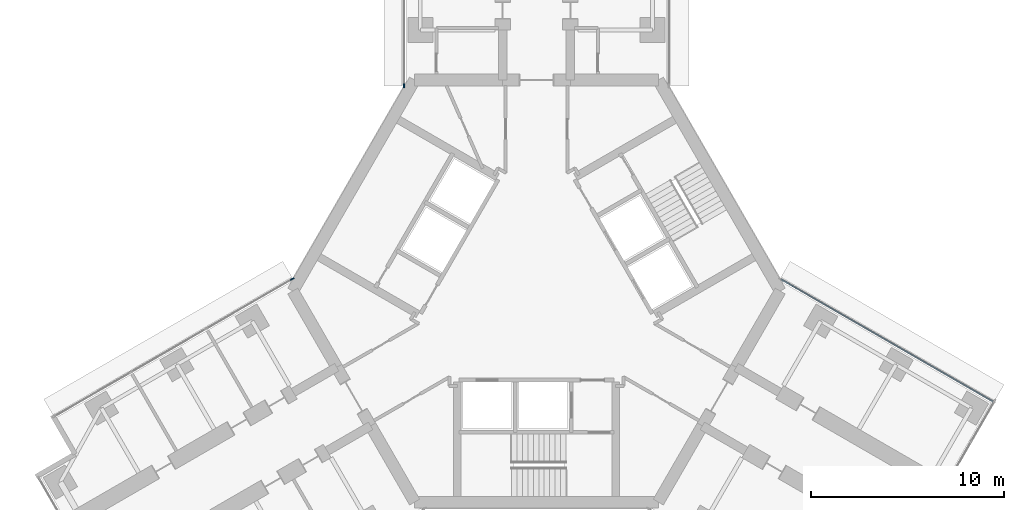
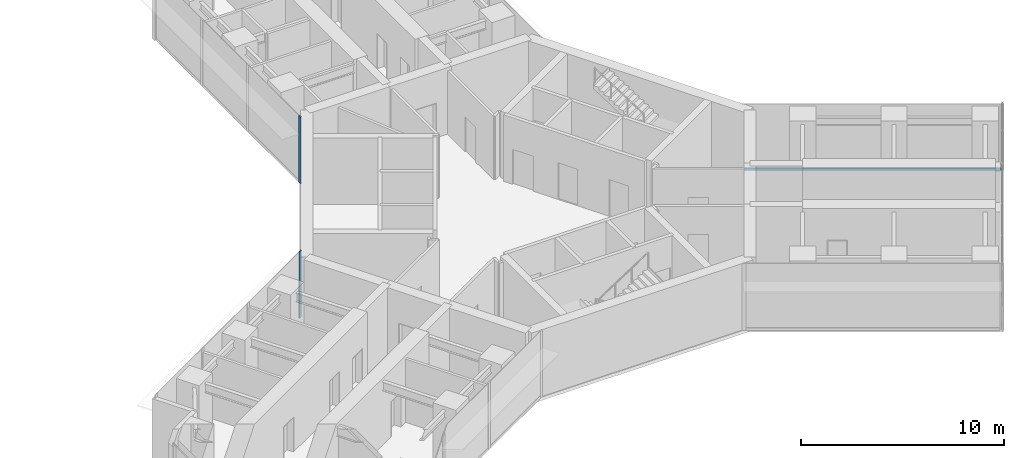
# One storey, part 9 of 22: 3 members, 3 elements without a shape of their own.
"""IFC4 building model written with IfcOpenShell, lengths in metres."""

from ifc_helpers import new_model, si_unit, direction, frame, origin, origin_2d, place, context, subcontext, project, spatial, rectangle, extrude, material, material_profile, profile_set, type_object, element, aggregate, save


model = new_model("IFC4")

# Units and contexts
model_context = context("Model", 3, precision=1e-05, world=origin(), true_north=direction((0.0, 1.0)))
body_context = subcontext(model_context, "Body", "Model", "MODEL_VIEW")
ifc_project = project(units=[si_unit("LENGTHUNIT", "METRE"), si_unit("AREAUNIT", "SQUARE_METRE"), si_unit("VOLUMEUNIT", "CUBIC_METRE"), si_unit("PLANEANGLEUNIT", "RADIAN"), si_unit("MASSUNIT", "GRAM", prefix="KILO")], contexts=[model_context])

# Site, building, storey
site_placement = place(None, origin())
site = spatial("IfcSite", under=ifc_project, at=site_placement, CompositionType="ELEMENT")
building_placement = place(site_placement, origin())
building = spatial("IfcBuilding", under=site, at=building_placement, Name="Upepo Twin Towers", CompositionType="ELEMENT")
storey_placement = place(building_placement, frame((0.0, 0.0, 125.5)))
storey = spatial("IfcBuildingStorey", under=building, at=storey_placement, Name="L30", CompositionType="ELEMENT", Elevation=125.5)

# Curtain wall, member
ifc_material_1 = material(Name="Aluminium and fritted glass", Category="aluminium")
curtain_wall_type = type_object("IfcCurtainWallType", Name="Tower curtain wall TW2, fritted glass", PredefinedType="NOTDEFINED", material=ifc_material_1)
curtain_wall_1_placement = place(storey_placement, origin())
curtain_wall_1 = element("IfcCurtainWall", 1, at=curtain_wall_1_placement, inside=storey, type_object=curtain_wall_type, Name="T2 L30 wing A flank L curtain wall", PredefinedType="NOTDEFINED")
ifc_material_2 = material(Name="Aluminium mullion", Category="aluminium")
ifc_material_profile_1 = material_profile(ifc_material_2, rectangle(XDim=0.06494140625, YDim=0.199951171875, at=origin_2d()), Name="MULLION 65x200")
ifc_profile_set_1 = profile_set([ifc_material_profile_1], Name="Aluminium mullion")
member_type_1 = type_object("IfcMemberType", Name="Mullion 65x200 TW2", PredefinedType="MULLION", material=ifc_profile_set_1)
member_1_placement = place(storey_placement, frame((51.64990234375, -7.38037109375, 0.0), z_axis=(0.0, 0.0, 1.0), x_axis=(-1.0, 0.0, 0.0)))
member_1 = element("IfcMember", 2, at=member_1_placement, type_object=member_type_1, Name="T2 L30 wing A flank L curtain wall mullion 1", PredefinedType="MULLION", context=body_context, shape_type="SweptSolid", body=[
    extrude(rectangle(XDim=0.06494140625, YDim=0.199951171875, at=origin_2d()), origin(), (0.0, 0.0, 1.0), 4.0),
])
aggregate(curtain_wall_1, [member_1])

curtain_wall_2_placement = place(storey_placement, origin())
curtain_wall_2 = element("IfcCurtainWall", 3, at=curtain_wall_2_placement, inside=storey, type_object=curtain_wall_type, Name="T2 L30 wing B flank R curtain wall", PredefinedType="NOTDEFINED")
member_2_placement = place(storey_placement, frame((45.878173828125, -17.37744140625, 0.0), z_axis=(0.0, 0.0, 1.0), x_axis=(-0.500000010308, 0.866025397833, 0.0)))
member_2 = element("IfcMember", 4, at=member_2_placement, type_object=member_type_1, Name="T2 L30 wing B flank R curtain wall mullion 4", PredefinedType="MULLION", context=body_context, shape_type="SweptSolid", body=[
    extrude(rectangle(XDim=0.06494140625, YDim=0.199951171875, at=origin_2d()), origin(), (0.0, 0.0, 1.0), 4.0),
])
aggregate(curtain_wall_2, [member_2])

curtain_wall_3_placement = place(storey_placement, origin())
curtain_wall_3 = element("IfcCurtainWall", 5, at=curtain_wall_3_placement, inside=storey, type_object=curtain_wall_type, Name="T2 L30 wing C flank L curtain wall", PredefinedType="NOTDEFINED")
ifc_material_3 = material(Name="Aluminium transom", Category="aluminium")
ifc_material_profile_2 = material_profile(ifc_material_3, rectangle(XDim=0.06494140625, YDim=0.14990234375, at=origin_2d()), Name="TRANSOM 65x150")
ifc_profile_set_2 = profile_set([ifc_material_profile_2], Name="Aluminium transom")
member_type_2 = type_object("IfcMemberType", Name="Transom 65x150 TW2", PredefinedType="USERDEFINED", material=ifc_profile_set_2)
member_3_placement = place(storey_placement, frame((71.14990234375, -17.393798828125, 0.074951171875), z_axis=(0.866027247007, -0.499996807431, 0.0), x_axis=(0.499996807431, 0.866027247007, 0.0)))
member_3 = element("IfcMember", 6, at=member_3_placement, type_object=member_type_2, Name="T2 L30 wing C flank L curtain wall transom 1", ObjectType="TRANSOM", PredefinedType="USERDEFINED", context=body_context, shape_type="SweptSolid", body=[
    extrude(rectangle(XDim=0.06494140625, YDim=0.14990234375, at=origin_2d()), origin(), (0.0, 0.0, 1.0), 12.6328125),
])
aggregate(curtain_wall_3, [member_3])

save(model, "model.ifc")
